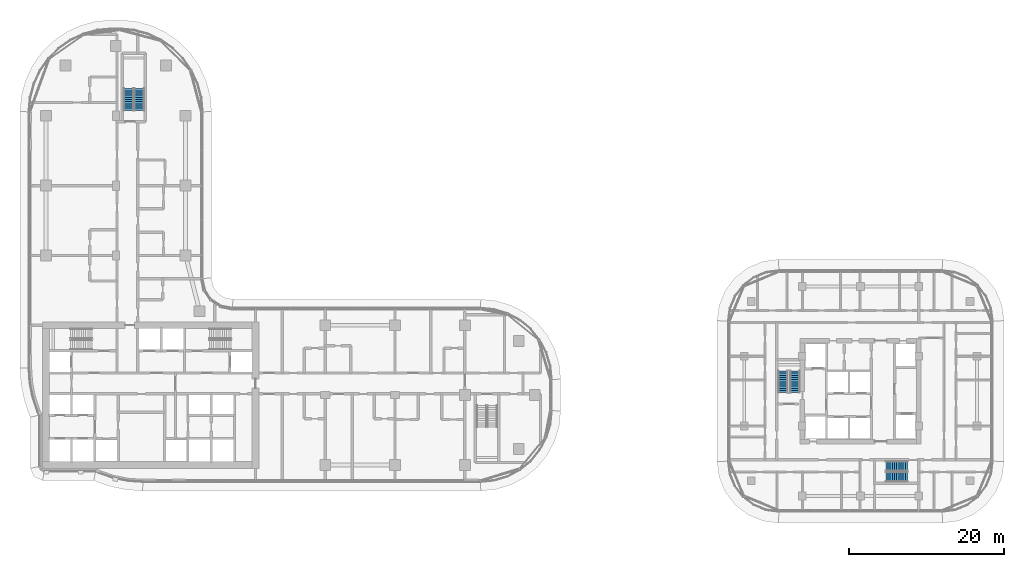
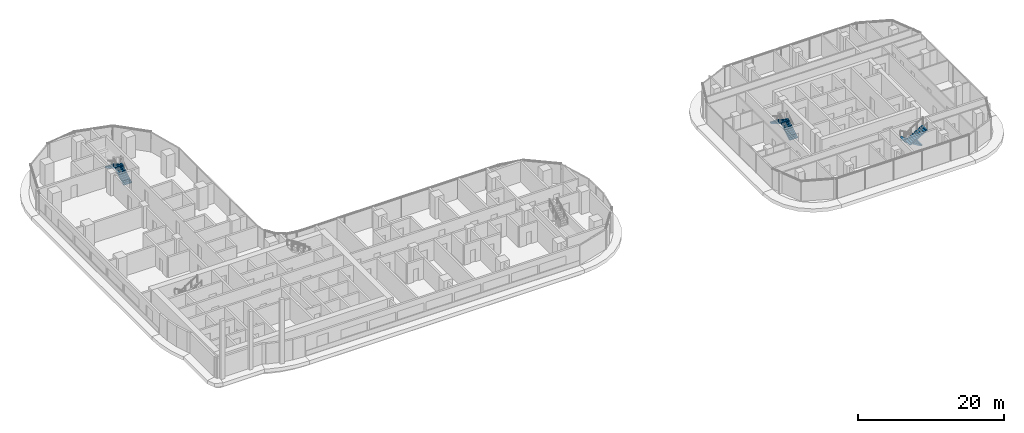
# One storey, part 27 of 36: 6 stair flights, 3 elements without a shape of their own.
"""IFC4 building model written with IfcOpenShell, lengths in metres."""

from ifc_helpers import new_model, si_unit, direction, frame, origin, place, context, subcontext, project, spatial, triangles, source, transform, mapped, material, type_object, element, aggregate, save


model = new_model("IFC4")

# Units and contexts
model_context = context("Model", 3, precision=1e-05, world=origin(), true_north=direction((0.0, 1.0)))
body_context = subcontext(model_context, "Body", "Model", "MODEL_VIEW")
ifc_project = project(units=[si_unit("LENGTHUNIT", "METRE"), si_unit("AREAUNIT", "SQUARE_METRE"), si_unit("VOLUMEUNIT", "CUBIC_METRE"), si_unit("PLANEANGLEUNIT", "RADIAN"), si_unit("MASSUNIT", "GRAM", prefix="KILO")], contexts=[model_context])

# Site, building, storey
site_placement = place(None, origin())
site = spatial("IfcSite", under=ifc_project, at=site_placement, CompositionType="ELEMENT")
building_placement = place(site_placement, origin())
building = spatial("IfcBuilding", under=site, at=building_placement, Name="Ogive Portal Towers", CompositionType="ELEMENT")
storey_placement = place(building_placement, frame((0.0, 0.0, 52.0)))
storey = spatial("IfcBuildingStorey", under=building, at=storey_placement, Name="L11", CompositionType="ELEMENT", Elevation=52.0)

# Stair, stair flights
ifc_material = material(Name="Concrete C40/50", Category="concrete")
stair_type = type_object("IfcStairType", Name="INT-STAIR", PredefinedType="HALF_TURN_STAIR", material=ifc_material)
stair_1_placement = place(storey_placement, origin())
stair_1 = element("IfcStair", 1, at=stair_1_placement, inside=storey, type_object=stair_type, Name="L11 Exit Stair ST-A3", PredefinedType="HALF_TURN_STAIR")
stair_flight_type = type_object("IfcStairFlightType", Name="INT-FLIGHT", PredefinedType="STRAIGHT", material=ifc_material)
shared_shape = source(origin(), body_context, "Body", "Tessellation", [
    triangles([(0.0, -0.650146484375, 0.0), (0.0, -0.376220703125, 0.0), (0.0, -0.192626953125, 0.0), (0.0, -0.081298828125, 0.0), (0.0, -0.024169921875, 0.0), (0.0, -0.003173828125, 0.0), (0.0, 0.0, 0.0), (0.0, 0.0029296875, 0.0), (0.0, 0.02392578125, 0.0), (0.0, 0.0810546875, 0.0), (0.0, 0.1923828125, 0.0), (0.0, 0.3759765625, 0.0), (0.0, 0.64990234375, 0.0), (0.0, -0.650146484375, 0.168212890625), (0.0, -0.376220703125, 0.168212890625), (0.0, -0.192626953125, 0.168212890625), (0.0, -0.081298828125, 0.168212890625), (0.0, -0.024169921875, 0.168212890625), (0.0, -0.003173828125, 0.168212890625), (0.0, 0.0, 0.168212890625), (0.0, 0.0029296875, 0.168212890625), (0.0, 0.02392578125, 0.168212890625), (0.0, 0.0810546875, 0.168212890625), (0.0, 0.1923828125, 0.168212890625), (0.0, 0.3759765625, 0.168212890625), (0.0, 0.64990234375, 0.168212890625), (0.280029296875, -0.650146484375, 0.168212890625), (0.280029296875, -0.376220703125, 0.168212890625), (0.280029296875, -0.192626953125, 0.168212890625), (0.280029296875, -0.081298828125, 0.168212890625), (0.280029296875, -0.024169921875, 0.168212890625), (0.280029296875, -0.003173828125, 0.168212890625), (0.280029296875, 0.0, 0.168212890625), (0.280029296875, 0.0029296875, 0.168212890625), (0.280029296875, 0.02392578125, 0.168212890625), (0.280029296875, 0.0810546875, 0.168212890625), (0.280029296875, 0.1923828125, 0.168212890625), (0.280029296875, 0.3759765625, 0.168212890625), (0.280029296875, 0.64990234375, 0.168212890625), (0.280029296875, -0.650146484375, 0.33642578125), (0.280029296875, -0.376220703125, 0.33642578125), (0.280029296875, -0.192626953125, 0.33642578125), (0.280029296875, -0.081298828125, 0.33642578125), (0.280029296875, -0.024169921875, 0.33642578125), (0.280029296875, -0.003173828125, 0.33642578125), (0.280029296875, 0.0, 0.33642578125), (0.280029296875, 0.0029296875, 0.33642578125), (0.280029296875, 0.02392578125, 0.33642578125), (0.280029296875, 0.0810546875, 0.33642578125), (0.280029296875, 0.1923828125, 0.33642578125), (0.280029296875, 0.3759765625, 0.33642578125), (0.280029296875, 0.64990234375, 0.33642578125), (0.56005859375, -0.650146484375, 0.33642578125), (0.56005859375, -0.376220703125, 0.33642578125), (0.56005859375, -0.192626953125, 0.33642578125), (0.56005859375, -0.081298828125, 0.33642578125), (0.56005859375, -0.024169921875, 0.33642578125), (0.56005859375, -0.003173828125, 0.33642578125), (0.56005859375, 0.0, 0.33642578125), (0.56005859375, 0.0029296875, 0.33642578125), (0.56005859375, 0.02392578125, 0.33642578125), (0.56005859375, 0.0810546875, 0.33642578125), (0.56005859375, 0.1923828125, 0.33642578125), (0.56005859375, 0.3759765625, 0.33642578125), (0.56005859375, 0.64990234375, 0.33642578125), (0.56005859375, -0.650146484375, 0.504638671875), (0.56005859375, -0.376220703125, 0.504638671875), (0.56005859375, -0.192626953125, 0.504638671875), (0.56005859375, -0.081298828125, 0.504638671875), (0.56005859375, -0.024169921875, 0.504638671875), (0.56005859375, -0.003173828125, 0.504638671875), (0.56005859375, 0.0, 0.504638671875), (0.56005859375, 0.0029296875, 0.504638671875), (0.56005859375, 0.02392578125, 0.504638671875), (0.56005859375, 0.0810546875, 0.504638671875), (0.56005859375, 0.1923828125, 0.504638671875), (0.56005859375, 0.3759765625, 0.504638671875), (0.56005859375, 0.64990234375, 0.504638671875), (0.840087890625, -0.650146484375, 0.504638671875), (0.840087890625, -0.376220703125, 0.504638671875), (0.840087890625, -0.192626953125, 0.504638671875), (0.840087890625, -0.081298828125, 0.504638671875), (0.840087890625, -0.024169921875, 0.504638671875), (0.840087890625, -0.003173828125, 0.504638671875), (0.840087890625, 0.0, 0.504638671875), (0.840087890625, 0.0029296875, 0.504638671875), (0.840087890625, 0.02392578125, 0.504638671875), (0.840087890625, 0.0810546875, 0.504638671875), (0.840087890625, 0.1923828125, 0.504638671875), (0.840087890625, 0.3759765625, 0.504638671875), (0.840087890625, 0.64990234375, 0.504638671875), (0.840087890625, -0.650146484375, 0.672607421875), (0.840087890625, -0.376220703125, 0.672607421875), (0.840087890625, -0.192626953125, 0.672607421875), (0.840087890625, -0.081298828125, 0.672607421875), (0.840087890625, -0.024169921875, 0.672607421875), (0.840087890625, -0.003173828125, 0.672607421875), (0.840087890625, 0.0, 0.672607421875), (0.840087890625, 0.0029296875, 0.672607421875), (0.840087890625, 0.02392578125, 0.672607421875), (0.840087890625, 0.0810546875, 0.672607421875), (0.840087890625, 0.1923828125, 0.672607421875), (0.840087890625, 0.3759765625, 0.672607421875), (0.840087890625, 0.64990234375, 0.672607421875), (1.1201171875, -0.650146484375, 0.672607421875), (1.1201171875, -0.376220703125, 0.672607421875), (1.1201171875, -0.192626953125, 0.672607421875), (1.1201171875, -0.081298828125, 0.672607421875), (1.1201171875, -0.024169921875, 0.672607421875), (1.1201171875, -0.003173828125, 0.672607421875), (1.1201171875, 0.0, 0.672607421875), (1.1201171875, 0.0029296875, 0.672607421875), (1.1201171875, 0.02392578125, 0.672607421875), (1.1201171875, 0.0810546875, 0.672607421875), (1.1201171875, 0.1923828125, 0.672607421875), (1.1201171875, 0.3759765625, 0.672607421875), (1.1201171875, 0.64990234375, 0.672607421875), (1.1201171875, -0.650146484375, 0.8408203125), (1.1201171875, -0.376220703125, 0.8408203125), (1.1201171875, -0.192626953125, 0.8408203125), (1.1201171875, -0.081298828125, 0.8408203125), (1.1201171875, -0.024169921875, 0.8408203125), (1.1201171875, -0.003173828125, 0.8408203125), (1.1201171875, 0.0, 0.8408203125), (1.1201171875, 0.0029296875, 0.8408203125), (1.1201171875, 0.02392578125, 0.8408203125), (1.1201171875, 0.0810546875, 0.8408203125), (1.1201171875, 0.1923828125, 0.8408203125), (1.1201171875, 0.3759765625, 0.8408203125), (1.1201171875, 0.64990234375, 0.8408203125), (1.39990234375, -0.650146484375, 0.8408203125), (1.39990234375, -0.376220703125, 0.8408203125), (1.39990234375, -0.192626953125, 0.8408203125), (1.39990234375, -0.081298828125, 0.8408203125), (1.39990234375, -0.024169921875, 0.8408203125), (1.39990234375, -0.003173828125, 0.8408203125), (1.39990234375, 0.0, 0.8408203125), (1.39990234375, 0.0029296875, 0.8408203125), (1.39990234375, 0.02392578125, 0.8408203125), (1.39990234375, 0.0810546875, 0.8408203125), (1.39990234375, 0.1923828125, 0.8408203125), (1.39990234375, 0.3759765625, 0.8408203125), (1.39990234375, 0.64990234375, 0.8408203125), (1.39990234375, -0.650146484375, 1.009033203125), (1.39990234375, -0.376220703125, 1.009033203125), (1.39990234375, -0.192626953125, 1.009033203125), (1.39990234375, -0.081298828125, 1.009033203125), (1.39990234375, -0.024169921875, 1.009033203125), (1.39990234375, -0.003173828125, 1.009033203125), (1.39990234375, 0.0, 1.009033203125), (1.39990234375, 0.0029296875, 1.009033203125), (1.39990234375, 0.02392578125, 1.009033203125), (1.39990234375, 0.0810546875, 1.009033203125), (1.39990234375, 0.1923828125, 1.009033203125), (1.39990234375, 0.3759765625, 1.009033203125), (1.39990234375, 0.64990234375, 1.009033203125), (1.679931640625, -0.650146484375, 1.009033203125), (1.679931640625, -0.376220703125, 1.009033203125), (1.679931640625, -0.192626953125, 1.009033203125), (1.679931640625, -0.081298828125, 1.009033203125), (1.679931640625, -0.024169921875, 1.009033203125), (1.679931640625, -0.003173828125, 1.009033203125), (1.679931640625, 0.0, 1.009033203125), (1.679931640625, 0.0029296875, 1.009033203125), (1.679931640625, 0.02392578125, 1.009033203125), (1.679931640625, 0.0810546875, 1.009033203125), (1.679931640625, 0.1923828125, 1.009033203125), (1.679931640625, 0.3759765625, 1.009033203125), (1.679931640625, 0.64990234375, 1.009033203125), (1.679931640625, -0.650146484375, 1.17724609375), (1.679931640625, -0.376220703125, 1.17724609375), (1.679931640625, -0.192626953125, 1.17724609375), (1.679931640625, -0.081298828125, 1.17724609375), (1.679931640625, -0.024169921875, 1.17724609375), (1.679931640625, -0.003173828125, 1.17724609375), (1.679931640625, 0.0, 1.17724609375), (1.679931640625, 0.0029296875, 1.17724609375), (1.679931640625, 0.02392578125, 1.17724609375), (1.679931640625, 0.0810546875, 1.17724609375), (1.679931640625, 0.1923828125, 1.17724609375), (1.679931640625, 0.3759765625, 1.17724609375), (1.679931640625, 0.64990234375, 1.17724609375), (1.9599609375, -0.650146484375, 1.17724609375), (1.9599609375, -0.376220703125, 1.17724609375), (1.9599609375, -0.192626953125, 1.17724609375), (1.9599609375, -0.081298828125, 1.17724609375), (1.9599609375, -0.024169921875, 1.17724609375), (1.9599609375, -0.003173828125, 1.17724609375), (1.9599609375, 0.0, 1.17724609375), (1.9599609375, 0.0029296875, 1.17724609375), (1.9599609375, 0.02392578125, 1.17724609375), (1.9599609375, 0.0810546875, 1.17724609375), (1.9599609375, 0.1923828125, 1.17724609375), (1.9599609375, 0.3759765625, 1.17724609375), (1.9599609375, 0.64990234375, 1.17724609375), (1.9599609375, -0.650146484375, 1.345458984375), (1.9599609375, -0.376220703125, 1.345458984375), (1.9599609375, -0.192626953125, 1.345458984375), (1.9599609375, -0.081298828125, 1.345458984375), (1.9599609375, -0.024169921875, 1.345458984375), (1.9599609375, -0.003173828125, 1.345458984375), (1.9599609375, 0.0, 1.345458984375), (1.9599609375, 0.0029296875, 1.345458984375), (1.9599609375, 0.02392578125, 1.345458984375), (1.9599609375, 0.0810546875, 1.345458984375), (1.9599609375, 0.1923828125, 1.345458984375), (1.9599609375, 0.3759765625, 1.345458984375), (1.9599609375, 0.64990234375, 1.345458984375), (2.239990234375, -0.650146484375, 1.345458984375), (2.239990234375, -0.376220703125, 1.345458984375), (2.239990234375, -0.192626953125, 1.345458984375), (2.239990234375, -0.081298828125, 1.345458984375), (2.239990234375, -0.024169921875, 1.345458984375), (2.239990234375, -0.003173828125, 1.345458984375), (2.239990234375, 0.0, 1.345458984375), (2.239990234375, 0.0029296875, 1.345458984375), (2.239990234375, 0.02392578125, 1.345458984375), (2.239990234375, 0.0810546875, 1.345458984375), (2.239990234375, 0.1923828125, 1.345458984375), (2.239990234375, 0.3759765625, 1.345458984375), (2.239990234375, 0.64990234375, 1.345458984375), (2.239990234375, -0.650146484375, 1.513671875), (2.239990234375, -0.376220703125, 1.513671875), (2.239990234375, -0.192626953125, 1.513671875), (2.239990234375, -0.081298828125, 1.513671875), (2.239990234375, -0.024169921875, 1.513671875), (2.239990234375, -0.003173828125, 1.513671875), (2.239990234375, 0.0, 1.513671875), (2.239990234375, 0.0029296875, 1.513671875), (2.239990234375, 0.02392578125, 1.513671875), (2.239990234375, 0.0810546875, 1.513671875), (2.239990234375, 0.1923828125, 1.513671875), (2.239990234375, 0.3759765625, 1.513671875), (2.239990234375, 0.64990234375, 1.513671875), (2.52001953125, -0.650146484375, 1.513671875), (2.52001953125, -0.376220703125, 1.513671875), (2.52001953125, -0.192626953125, 1.513671875), (2.52001953125, -0.081298828125, 1.513671875), (2.52001953125, -0.024169921875, 1.513671875), (2.52001953125, -0.003173828125, 1.513671875), (2.52001953125, 0.0, 1.513671875), (2.52001953125, 0.0029296875, 1.513671875), (2.52001953125, 0.02392578125, 1.513671875), (2.52001953125, 0.0810546875, 1.513671875), (2.52001953125, 0.1923828125, 1.513671875), (2.52001953125, 0.3759765625, 1.513671875), (2.52001953125, 0.64990234375, 1.513671875), (2.52001953125, -0.650146484375, 1.681884765625), (2.52001953125, -0.376220703125, 1.681884765625), (2.52001953125, -0.192626953125, 1.681884765625), (2.52001953125, -0.081298828125, 1.681884765625), (2.52001953125, -0.024169921875, 1.681884765625), (2.52001953125, -0.003173828125, 1.681884765625), (2.52001953125, 0.0, 1.681884765625), (2.52001953125, 0.0029296875, 1.681884765625), (2.52001953125, 0.02392578125, 1.681884765625), (2.52001953125, 0.0810546875, 1.681884765625), (2.52001953125, 0.1923828125, 1.681884765625), (2.52001953125, 0.3759765625, 1.681884765625), (2.52001953125, 0.64990234375, 1.681884765625), (2.800048828125, -0.650146484375, 1.681884765625), (2.800048828125, -0.376220703125, 1.681884765625), (2.800048828125, -0.192626953125, 1.681884765625), (2.800048828125, -0.081298828125, 1.681884765625), (2.800048828125, -0.024169921875, 1.681884765625), (2.800048828125, -0.003173828125, 1.681884765625), (2.800048828125, 0.0, 1.681884765625), (2.800048828125, 0.0029296875, 1.681884765625), (2.800048828125, 0.02392578125, 1.681884765625), (2.800048828125, 0.0810546875, 1.681884765625), (2.800048828125, 0.1923828125, 1.681884765625), (2.800048828125, 0.3759765625, 1.681884765625), (2.800048828125, 0.64990234375, 1.681884765625), (2.800048828125, -0.650146484375, 1.5068359375), (2.800048828125, -0.376220703125, 1.5068359375), (2.800048828125, -0.192626953125, 1.5068359375), (2.800048828125, -0.081298828125, 1.5068359375), (2.800048828125, -0.024169921875, 1.5068359375), (2.800048828125, -0.003173828125, 1.5068359375), (2.800048828125, 0.0, 1.5068359375), (2.800048828125, 0.0029296875, 1.5068359375), (2.800048828125, 0.02392578125, 1.5068359375), (2.800048828125, 0.0810546875, 1.5068359375), (2.800048828125, 0.1923828125, 1.5068359375), (2.800048828125, 0.3759765625, 1.5068359375), (2.800048828125, 0.64990234375, 1.5068359375), (0.291015625, -0.650146484375, 0.0), (0.291015625, -0.376220703125, 0.0), (0.291015625, -0.192626953125, 0.0), (0.291015625, -0.081298828125, 0.0), (0.291015625, -0.024169921875, 0.0), (0.291015625, -0.003173828125, 0.0), (0.291015625, 0.0, 0.0), (0.291015625, 0.0029296875, 0.0), (0.291015625, 0.02392578125, 0.0), (0.291015625, 0.0810546875, 0.0), (0.291015625, 0.1923828125, 0.0), (0.291015625, 0.3759765625, 0.0), (0.291015625, 0.64990234375, 0.0)], [[1, 14, 15], [1, 15, 2], [2, 15, 16], [2, 16, 3], [3, 16, 17], [3, 17, 4], [4, 17, 18], [4, 18, 5], [5, 18, 19], [5, 19, 6], [6, 19, 20], [6, 20, 7], [7, 20, 21], [7, 21, 8], [8, 21, 22], [8, 22, 9], [9, 22, 23], [9, 23, 10], [10, 23, 24], [10, 24, 11], [11, 24, 25], [11, 25, 12], [12, 25, 26], [12, 26, 13], [14, 27, 28], [14, 28, 15], [15, 28, 29], [15, 29, 16], [16, 29, 30], [16, 30, 17], [17, 30, 31], [17, 31, 18], [18, 31, 32], [18, 32, 19], [19, 32, 33], [19, 33, 20], [20, 33, 34], [20, 34, 21], [21, 34, 35], [21, 35, 22], [22, 35, 36], [22, 36, 23], [23, 36, 37], [23, 37, 24], [24, 37, 38], [24, 38, 25], [25, 38, 39], [25, 39, 26], [27, 40, 41], [27, 41, 28], [28, 41, 42], [28, 42, 29], [29, 42, 43], [29, 43, 30], [30, 43, 44], [30, 44, 31], [31, 44, 45], [31, 45, 32], [32, 45, 46], [32, 46, 33], [33, 46, 47], [33, 47, 34], [34, 47, 48], [34, 48, 35], [35, 48, 49], [35, 49, 36], [36, 49, 50], [36, 50, 37], [37, 50, 51], [37, 51, 38], [38, 51, 52], [38, 52, 39], [40, 53, 54], [40, 54, 41], [41, 54, 55], [41, 55, 42], [42, 55, 56], [42, 56, 43], [43, 56, 57], [43, 57, 44], [44, 57, 58], [44, 58, 45], [45, 58, 59], [45, 59, 46], [46, 59, 60], [46, 60, 47], [47, 60, 61], [47, 61, 48], [48, 61, 62], [48, 62, 49], [49, 62, 63], [49, 63, 50], [50, 63, 64], [50, 64, 51], [51, 64, 65], [51, 65, 52], [53, 66, 67], [53, 67, 54], [54, 67, 68], [54, 68, 55], [55, 68, 69], [55, 69, 56], [56, 69, 70], [56, 70, 57], [57, 70, 71], [57, 71, 58], [58, 71, 72], [58, 72, 59], [59, 72, 73], [59, 73, 60], [60, 73, 74], [60, 74, 61], [61, 74, 75], [61, 75, 62], [62, 75, 76], [62, 76, 63], [63, 76, 77], [63, 77, 64], [64, 77, 78], [64, 78, 65], [66, 79, 80], [66, 80, 67], [67, 80, 81], [67, 81, 68], [68, 81, 82], [68, 82, 69], [69, 82, 83], [69, 83, 70], [70, 83, 84], [70, 84, 71], [71, 84, 85], [71, 85, 72], [72, 85, 86], [72, 86, 73], [73, 86, 87], [73, 87, 74], [74, 87, 88], [74, 88, 75], [75, 88, 89], [75, 89, 76], [76, 89, 90], [76, 90, 77], [77, 90, 91], [77, 91, 78], [79, 92, 93], [79, 93, 80], [80, 93, 94], [80, 94, 81], [81, 94, 95], [81, 95, 82], [82, 95, 96], [82, 96, 83], [83, 96, 97], [83, 97, 84], [84, 97, 98], [84, 98, 85], [85, 98, 99], [85, 99, 86], [86, 99, 100], [86, 100, 87], [87, 100, 101], [87, 101, 88], [88, 101, 102], [88, 102, 89], [89, 102, 103], [89, 103, 90], [90, 103, 104], [90, 104, 91], [92, 105, 106], [92, 106, 93], [93, 106, 107], [93, 107, 94], [94, 107, 108], [94, 108, 95], [95, 108, 109], [95, 109, 96], [96, 109, 110], [96, 110, 97], [97, 110, 111], [97, 111, 98], [98, 111, 112], [98, 112, 99], [99, 112, 113], [99, 113, 100], [100, 113, 114], [100, 114, 101], [101, 114, 115], [101, 115, 102], [102, 115, 116], [102, 116, 103], [103, 116, 117], [103, 117, 104], [105, 118, 119], [105, 119, 106], [106, 119, 120], [106, 120, 107], [107, 120, 121], [107, 121, 108], [108, 121, 122], [108, 122, 109], [109, 122, 123], [109, 123, 110], [110, 123, 124], [110, 124, 111], [111, 124, 125], [111, 125, 112], [112, 125, 126], [112, 126, 113], [113, 126, 127], [113, 127, 114], [114, 127, 128], [114, 128, 115], [115, 128, 129], [115, 129, 116], [116, 129, 130], [116, 130, 117], [118, 131, 132], [118, 132, 119], [119, 132, 133], [119, 133, 120], [120, 133, 134], [120, 134, 121], [121, 134, 135], [121, 135, 122], [122, 135, 136], [122, 136, 123], [123, 136, 137], [123, 137, 124], [124, 137, 138], [124, 138, 125], [125, 138, 139], [125, 139, 126], [126, 139, 140], [126, 140, 127], [127, 140, 141], [127, 141, 128], [128, 141, 142], [128, 142, 129], [129, 142, 143], [129, 143, 130], [131, 144, 145], [131, 145, 132], [132, 145, 146], [132, 146, 133], [133, 146, 147], [133, 147, 134], [134, 147, 148], [134, 148, 135], [135, 148, 149], [135, 149, 136], [136, 149, 150], [136, 150, 137], [137, 150, 151], [137, 151, 138], [138, 151, 152], [138, 152, 139], [139, 152, 153], [139, 153, 140], [140, 153, 154], [140, 154, 141], [141, 154, 155], [141, 155, 142], [142, 155, 156], [142, 156, 143], [144, 157, 158], [144, 158, 145], [145, 158, 159], [145, 159, 146], [146, 159, 160], [146, 160, 147], [147, 160, 161], [147, 161, 148], [148, 161, 162], [148, 162, 149], [149, 162, 163], [149, 163, 150], [150, 163, 164], [150, 164, 151], [151, 164, 165], [151, 165, 152], [152, 165, 166], [152, 166, 153], [153, 166, 167], [153, 167, 154], [154, 167, 168], [154, 168, 155], [155, 168, 169], [155, 169, 156], [157, 170, 171], [157, 171, 158], [158, 171, 172], [158, 172, 159], [159, 172, 173], [159, 173, 160], [160, 173, 174], [160, 174, 161], [161, 174, 175], [161, 175, 162], [162, 175, 176], [162, 176, 163], [163, 176, 177], [163, 177, 164], [164, 177, 178], [164, 178, 165], [165, 178, 179], [165, 179, 166], [166, 179, 180], [166, 180, 167], [167, 180, 181], [167, 181, 168], [168, 181, 182], [168, 182, 169], [170, 183, 184], [170, 184, 171], [171, 184, 185], [171, 185, 172], [172, 185, 186], [172, 186, 173], [173, 186, 187], [173, 187, 174], [174, 187, 188], [174, 188, 175], [175, 188, 189], [175, 189, 176], [176, 189, 190], [176, 190, 177], [177, 190, 191], [177, 191, 178], [178, 191, 192], [178, 192, 179], [179, 192, 193], [179, 193, 180], [180, 193, 194], [180, 194, 181], [181, 194, 195], [181, 195, 182], [183, 196, 197], [183, 197, 184], [184, 197, 198], [184, 198, 185], [185, 198, 199], [185, 199, 186], [186, 199, 200], [186, 200, 187], [187, 200, 201], [187, 201, 188], [188, 201, 202], [188, 202, 189], [189, 202, 203], [189, 203, 190], [190, 203, 204], [190, 204, 191], [191, 204, 205], [191, 205, 192], [192, 205, 206], [192, 206, 193], [193, 206, 207], [193, 207, 194], [194, 207, 208], [194, 208, 195], [196, 209, 210], [196, 210, 197], [197, 210, 211], [197, 211, 198], [198, 211, 212], [198, 212, 199], [199, 212, 213], [199, 213, 200], [200, 213, 214], [200, 214, 201], [201, 214, 215], [201, 215, 202], [202, 215, 216], [202, 216, 203], [203, 216, 217], [203, 217, 204], [204, 217, 218], [204, 218, 205], [205, 218, 219], [205, 219, 206], [206, 219, 220], [206, 220, 207], [207, 220, 221], [207, 221, 208], [209, 222, 223], [209, 223, 210], [210, 223, 224], [210, 224, 211], [211, 224, 225], [211, 225, 212], [212, 225, 226], [212, 226, 213], [213, 226, 227], [213, 227, 214], [214, 227, 228], [214, 228, 215], [215, 228, 229], [215, 229, 216], [216, 229, 230], [216, 230, 217], [217, 230, 231], [217, 231, 218], [218, 231, 232], [218, 232, 219], [219, 232, 233], [219, 233, 220], [220, 233, 234], [220, 234, 221], [222, 235, 236], [222, 236, 223], [223, 236, 237], [223, 237, 224], [224, 237, 238], [224, 238, 225], [225, 238, 239], [225, 239, 226], [226, 239, 240], [226, 240, 227], [227, 240, 241], [227, 241, 228], [228, 241, 242], [228, 242, 229], [229, 242, 243], [229, 243, 230], [230, 243, 244], [230, 244, 231], [231, 244, 245], [231, 245, 232], [232, 245, 246], [232, 246, 233], [233, 246, 247], [233, 247, 234], [235, 248, 249], [235, 249, 236], [236, 249, 250], [236, 250, 237], [237, 250, 251], [237, 251, 238], [238, 251, 252], [238, 252, 239], [239, 252, 253], [239, 253, 240], [240, 253, 254], [240, 254, 241], [241, 254, 255], [241, 255, 242], [242, 255, 256], [242, 256, 243], [243, 256, 257], [243, 257, 244], [244, 257, 258], [244, 258, 245], [245, 258, 259], [245, 259, 246], [246, 259, 260], [246, 260, 247], [248, 261, 262], [248, 262, 249], [249, 262, 263], [249, 263, 250], [250, 263, 264], [250, 264, 251], [251, 264, 265], [251, 265, 252], [252, 265, 266], [252, 266, 253], [253, 266, 267], [253, 267, 254], [254, 267, 268], [254, 268, 255], [255, 268, 269], [255, 269, 256], [256, 269, 270], [256, 270, 257], [257, 270, 271], [257, 271, 258], [258, 271, 272], [258, 272, 259], [259, 272, 273], [259, 273, 260], [261, 274, 275], [261, 275, 262], [262, 275, 276], [262, 276, 263], [263, 276, 277], [263, 277, 264], [264, 277, 278], [264, 278, 265], [265, 278, 279], [265, 279, 266], [266, 279, 280], [266, 280, 267], [267, 280, 281], [267, 281, 268], [268, 281, 282], [268, 282, 269], [269, 282, 283], [269, 283, 270], [270, 283, 284], [270, 284, 271], [271, 284, 285], [271, 285, 272], [272, 285, 286], [272, 286, 273], [274, 287, 288], [274, 288, 275], [275, 288, 289], [275, 289, 276], [276, 289, 290], [276, 290, 277], [277, 290, 291], [277, 291, 278], [278, 291, 292], [278, 292, 279], [279, 292, 293], [279, 293, 280], [280, 293, 294], [280, 294, 281], [281, 294, 295], [281, 295, 282], [282, 295, 296], [282, 296, 283], [283, 296, 297], [283, 297, 284], [284, 297, 298], [284, 298, 285], [285, 298, 299], [285, 299, 286], [287, 1, 2], [287, 2, 288], [288, 2, 3], [288, 3, 289], [289, 3, 4], [289, 4, 290], [290, 4, 5], [290, 5, 291], [291, 5, 6], [291, 6, 292], [292, 6, 7], [292, 7, 293], [293, 7, 8], [293, 8, 294], [294, 8, 9], [294, 9, 295], [295, 9, 10], [295, 10, 296], [296, 10, 11], [296, 11, 297], [297, 11, 12], [297, 12, 298], [298, 12, 13], [298, 13, 299], [1, 287, 274], [13, 286, 299], [274, 261, 248], [286, 260, 273], [274, 248, 235], [286, 247, 260], [274, 235, 222], [286, 234, 247], [274, 222, 209], [286, 221, 234], [209, 196, 183], [221, 195, 208], [274, 209, 183], [286, 195, 221], [183, 170, 157], [195, 169, 182], [274, 183, 157], [286, 169, 195], [157, 144, 131], [169, 143, 156], [274, 157, 131], [286, 143, 169], [131, 118, 105], [143, 117, 130], [274, 131, 105], [286, 117, 143], [1, 274, 105], [13, 117, 286], [105, 92, 79], [117, 91, 104], [79, 66, 53], [91, 65, 78], [105, 79, 53], [117, 65, 91], [53, 40, 27], [65, 39, 52], [105, 53, 27], [117, 39, 65], [1, 105, 27], [13, 39, 117], [27, 14, 1], [39, 13, 26]], closed=True),
])
stair_flight_1_placement = place(storey_placement, frame((43.550048828125, 67.199951171875, 0.0), z_axis=(0.0, 0.0, 1.0), x_axis=(0.0, 1.0, 0.0)))
stair_flight_1 = element("IfcStairFlight", 2, at=stair_flight_1_placement, type_object=stair_flight_type, Name="ST-A3 flight 1", NumberOfRisers=11, NumberOfTreads=10, PredefinedType="STRAIGHT", RiserHeight=0.168181818, TreadLength=0.28, context=body_context, shape_type="MappedRepresentation", body=[
    mapped(shared_shape, transform((0.0, 0.0, 0.0), scale=1.0)),
])
stair_flight_2_placement = place(storey_placement, frame((42.14990234375, 70.0, 1.85009765625), z_axis=(0.0, 0.0, 1.0), x_axis=(0.0, -1.0, 0.0)))
stair_flight_2 = element("IfcStairFlight", 3, at=stair_flight_2_placement, type_object=stair_flight_type, Name="ST-A3 flight 2", NumberOfRisers=11, NumberOfTreads=10, PredefinedType="STRAIGHT", RiserHeight=0.168181818, TreadLength=0.28, context=body_context, shape_type="MappedRepresentation", body=[
    mapped(shared_shape, transform((0.0, 0.0, 0.0), scale=1.0)),
])
aggregate(stair_1, [stair_flight_1, stair_flight_2])

stair_2_placement = place(storey_placement, origin())
stair_2 = element("IfcStair", 4, at=stair_2_placement, inside=storey, type_object=stair_type, Name="L11 Exit Stair ST-B1", PredefinedType="HALF_TURN_STAIR")
stair_flight_3_placement = place(storey_placement, frame((128.050048828125, 30.800048828125, 0.0), z_axis=(0.0, 0.0, 1.0), x_axis=(0.0, 1.0, 0.0)))
stair_flight_3 = element("IfcStairFlight", 5, at=stair_flight_3_placement, type_object=stair_flight_type, Name="ST-B1 flight 1", NumberOfRisers=11, NumberOfTreads=10, PredefinedType="STRAIGHT", RiserHeight=0.168181818, TreadLength=0.28, context=body_context, shape_type="MappedRepresentation", body=[
    mapped(shared_shape, transform((0.0, 0.0, 0.0), scale=1.0)),
])
stair_flight_4_placement = place(storey_placement, frame((126.5, 33.60009765625, 1.85009765625), z_axis=(0.0, 0.0, 1.0), x_axis=(0.0, -1.0, 0.0)))
stair_flight_4 = element("IfcStairFlight", 6, at=stair_flight_4_placement, type_object=stair_flight_type, Name="ST-B1 flight 2", NumberOfRisers=11, NumberOfTreads=10, PredefinedType="STRAIGHT", RiserHeight=0.168181818, TreadLength=0.28, context=body_context, shape_type="MappedRepresentation", body=[
    mapped(shared_shape, transform((0.0, 0.0, 0.0), scale=1.0)),
])
aggregate(stair_2, [stair_flight_3, stair_flight_4])

stair_3_placement = place(storey_placement, origin())
stair_3 = element("IfcStair", 7, at=stair_3_placement, inside=storey, type_object=stair_type, Name="L11 Exit Stair ST-B2", PredefinedType="HALF_TURN_STAIR")
stair_flight_5_placement = place(storey_placement, frame((142.550048828125, 21.35009765625, 0.0), z_axis=(0.0, 0.0, 1.0), x_axis=(-1.0, 0.0, 0.0)))
stair_flight_5 = element("IfcStairFlight", 8, at=stair_flight_5_placement, type_object=stair_flight_type, Name="ST-B2 flight 1", NumberOfRisers=11, NumberOfTreads=10, PredefinedType="STRAIGHT", RiserHeight=0.168181818, TreadLength=0.28, context=body_context, shape_type="MappedRepresentation", body=[
    mapped(shared_shape, transform((0.0, 0.0, 0.0), scale=1.0)),
])
stair_flight_6_placement = place(storey_placement, frame((139.75, 19.949951171875, 1.85009765625), z_axis=(0.0, 0.0, 1.0), x_axis=(1.0, 0.0, 0.0)))
stair_flight_6 = element("IfcStairFlight", 9, at=stair_flight_6_placement, type_object=stair_flight_type, Name="ST-B2 flight 2", NumberOfRisers=11, NumberOfTreads=10, PredefinedType="STRAIGHT", RiserHeight=0.168181818, TreadLength=0.28, context=body_context, shape_type="MappedRepresentation", body=[
    mapped(shared_shape, transform((0.0, 0.0, 0.0), scale=1.0)),
])
aggregate(stair_3, [stair_flight_5, stair_flight_6])

save(model, "model.ifc")
